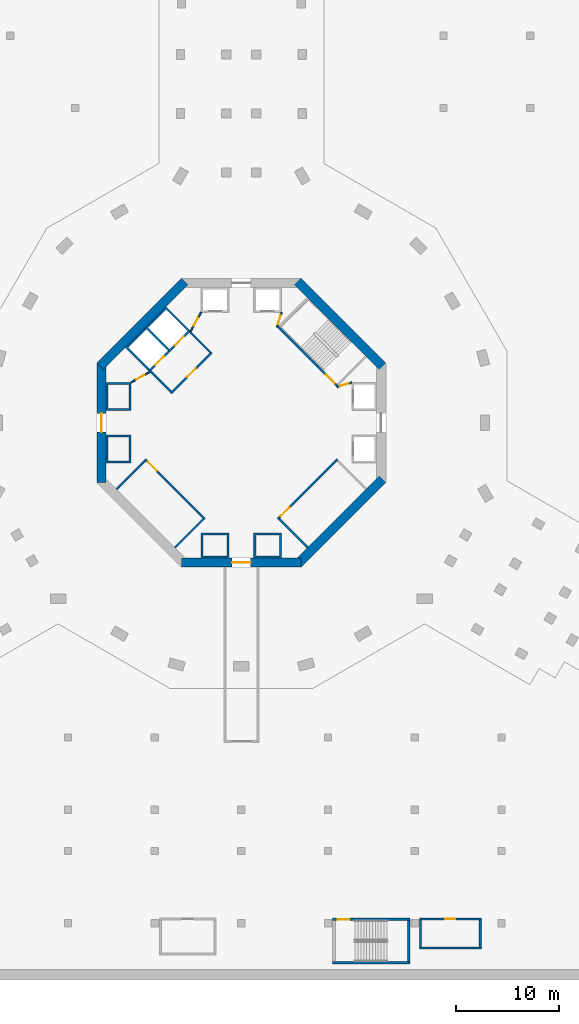
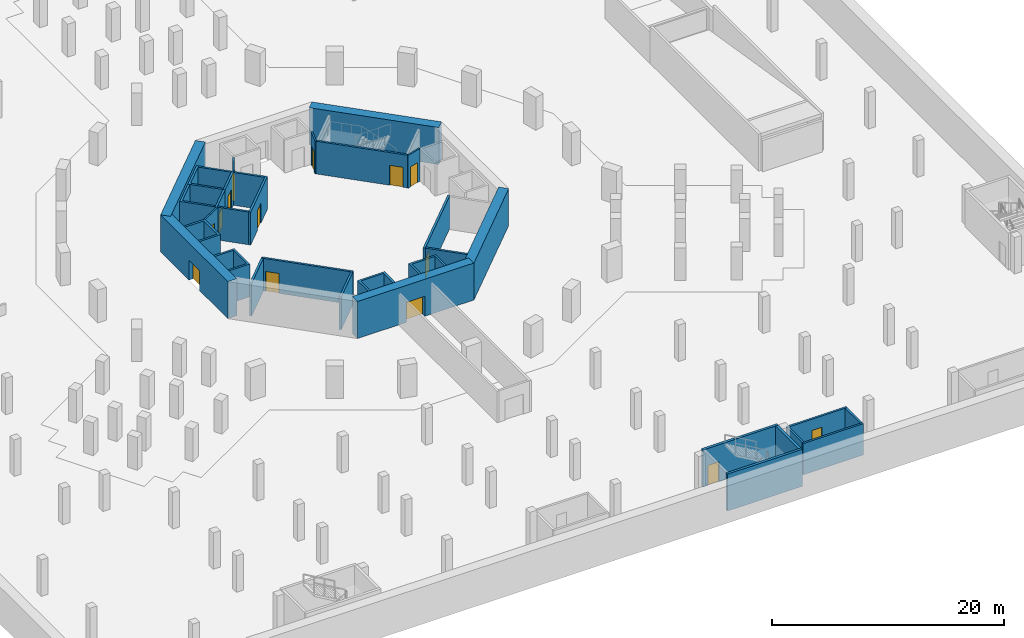
# One storey, part 7 of 25: 33 walls, 14 doors, 14 openings.
"""IFC4 building model written with IfcOpenShell, lengths in metres."""

from ifc_helpers import new_model, si_unit, direction, frame, frame_2d, origin, place, context, subcontext, project, spatial, polyline, rectangle, outline, extrude, material, layer, layer_set, type_object, element, fill, save


model = new_model("IFC4")

# Units and contexts
model_context = context("Model", 3, precision=1e-05, world=origin(), true_north=direction((0.0, 1.0)))
body_context = subcontext(model_context, "Body", "Model", "MODEL_VIEW")
ifc_project = project(units=[si_unit("LENGTHUNIT", "METRE"), si_unit("AREAUNIT", "SQUARE_METRE"), si_unit("VOLUMEUNIT", "CUBIC_METRE"), si_unit("PLANEANGLEUNIT", "RADIAN"), si_unit("MASSUNIT", "GRAM", prefix="KILO")], contexts=[model_context])

# Site, building, storey
site_placement = place(None, origin())
site = spatial("IfcSite", under=ifc_project, at=site_placement, CompositionType="ELEMENT")
building_placement = place(site_placement, origin())
building = spatial("IfcBuilding", under=site, at=building_placement, Name="Verdalira Terraces Hotel", CompositionType="ELEMENT")
storey_placement = place(building_placement, frame((0.0, 0.0, -3.899902)))
storey = spatial("IfcBuildingStorey", under=building, at=storey_placement, Name="B1", CompositionType="ELEMENT", Elevation=-3.89990234375)

# Walls
ifc_material_1 = material(Name="Concrete C50", Category="concrete")
ifc_layer_1 = layer(ifc_material_1, 0.199951171875)
ifc_layer_set_1 = layer_set([ifc_layer_1], Name="Core RC wall 200 C50")
wall_type_1 = type_object("IfcWallType", Name="Core RC wall 200 C50", PredefinedType="SOLIDWALL", material=ifc_layer_set_1)
wall_1_placement = place(storey_placement, origin())
element("IfcWall", 1, at=wall_1_placement, inside=storey, type_object=wall_type_1, Name="B1 shaft wall W1", PredefinedType="SOLIDWALL", context=body_context, shape_type="SweptSolid", body=[
    extrude(outline(polyline([(-13.100098, 1.199951), (-13.100098, 3.899902), (-10.699951, 3.899902), (-10.699951, 1.199951), (-13.100098, 1.199951)]), holes=[polyline([(-10.899902, 3.699951), (-12.899902, 3.699951), (-12.899902, 1.399902), (-10.899902, 1.399902), (-10.899902, 3.699951)])]), origin(), (0.0, 0.0, 1.0), 3.449951),
])
wall_2_placement = place(storey_placement, origin())
element("IfcWall", 2, at=wall_2_placement, inside=storey, type_object=wall_type_1, Name="B1 shaft wall W2", PredefinedType="SOLIDWALL", context=body_context, shape_type="SweptSolid", body=[
    extrude(outline(polyline([(-10.699951, -3.899902), (-13.100098, -3.899902), (-13.100098, -1.199951), (-10.699951, -1.199951), (-10.699951, -3.899902)]), holes=[polyline([(-12.899902, -1.399902), (-12.899902, -3.699951), (-10.899902, -3.699951), (-10.899902, -1.399902), (-12.899902, -1.399902)])]), origin(), (0.0, 0.0, 1.0), 3.449951),
])
wall_3_placement = place(storey_placement, origin())
element("IfcWall", 3, at=wall_3_placement, inside=storey, type_object=wall_type_1, Name="B1 shaft wall S1", PredefinedType="SOLIDWALL", context=body_context, shape_type="SweptSolid", body=[
    extrude(outline(polyline([(-1.199951, -13.100098), (-3.899902, -13.100098), (-3.899902, -10.699951), (-1.199951, -10.699951), (-1.199951, -13.100098)]), holes=[polyline([(-3.699951, -10.899902), (-3.699951, -12.899902), (-1.399902, -12.899902), (-1.399902, -10.899902), (-3.699951, -10.899902)])]), origin(), (0.0, 0.0, 1.0), 3.449951),
])
wall_4_placement = place(storey_placement, origin())
element("IfcWall", 4, at=wall_4_placement, inside=storey, type_object=wall_type_1, Name="B1 shaft wall S2", PredefinedType="SOLIDWALL", context=body_context, shape_type="SweptSolid", body=[
    extrude(outline(polyline([(3.899902, -10.699951), (3.899902, -13.100098), (1.199951, -13.100098), (1.199951, -10.699951), (3.899902, -10.699951)]), holes=[polyline([(1.399902, -12.899902), (3.699951, -12.899902), (3.699951, -10.899902), (1.399902, -10.899902), (1.399902, -12.899902)])]), origin(), (0.0, 0.0, 1.0), 3.449951),
])
wall_5_placement = place(storey_placement, origin())
element("IfcWall", 5, at=wall_5_placement, inside=storey, type_object=wall_type_1, Name="B1 shaft wall F1", PredefinedType="SOLIDWALL", context=body_context, shape_type="SweptSolid", body=[
    extrude(outline(polyline([(-9.33374, 9.192383), (-7.283203, 11.24292), (-5.055908, 9.015625), (-5.197266, 8.874268), (-7.283203, 10.960205), (-9.051025, 9.192383), (-6.965088, 7.106445), (-7.106445, 6.965088), (-9.33374, 9.192383)])), origin(), (0.0, 0.0, 1.0), 3.449951),
])

# Wall, opening, door
wall_6_placement = place(storey_placement, frame((-4.985107, 8.944824, 0.0), z_axis=(0.0, 0.0, 1.0), x_axis=(-0.707106781, -0.707106781, 0.0)))
wall_6 = element("IfcWall", 6, at=wall_6_placement, inside=storey, type_object=wall_type_1, Name="B1 shaft front wall F1", PredefinedType="SOLIDWALL", context=body_context, shape_type="SweptSolid", body=[
    extrude(rectangle(XDim=2.899902, YDim=0.199951, at=frame_2d((1.449951, 0.0))), origin(), (0.0, 0.0, 1.0), 3.449951),
])
opening_1_placement = place(wall_6_placement, frame((0.850098, 0.0, 0.0)))
opening_1 = element("IfcOpeningElement", 7, at=opening_1_placement, cuts=wall_6, Name="Opening LD-B1-805", PredefinedType="OPENING", context=body_context, shape_type="SweptSolid", body=[
    extrude(rectangle(XDim=1.199951, YDim=2.100098, at=frame_2d((0.600098, 1.050049))), frame((0.0, 0.109863, 0.0), z_axis=(0.0, -1.0, 0.0), x_axis=(1.0, 0.0, 0.0)), (0.0, 0.0, 1.0), 0.219971),
])
ifc_material_2 = material(Name="Stainless steel", Category="steel")
door_type_1 = type_object("IfcDoorType", Name="Landing door 1200 x 2100", OperationType="NOTDEFINED", PredefinedType="DOOR", material=ifc_material_2)
door_1_placement = place(opening_1_placement, origin())
door_1 = element("IfcDoor", 8, at=door_1_placement, inside=storey, type_object=door_type_1, Name="Lift landing door LF11 B1", OperationType="DOUBLE_DOOR_SLIDING", OverallHeight=2.10009765625, OverallWidth=1.199951171875, PredefinedType="DOOR", context=body_context, shape_type="SweptSolid", body=[
    extrude(rectangle(XDim=1.199951, YDim=2.100098, at=frame_2d((0.600098, 1.050049))), frame((0.0, 0.024902, 0.0), z_axis=(0.0, -1.0, 0.0), x_axis=(1.0, 0.0, 0.0)), (0.0, 0.0, 1.0), 0.050049),
])
fill(opening_1, door_1)

# Wall
wall_7_placement = place(storey_placement, origin())
element("IfcWall", 9, at=wall_7_placement, inside=storey, type_object=wall_type_1, Name="B1 shaft wall F2", PredefinedType="SOLIDWALL", context=body_context, shape_type="SweptSolid", body=[
    extrude(outline(polyline([(-11.24292, 7.283203), (-9.33374, 9.192383), (-9.192383, 9.051025), (-10.960205, 7.283203), (-8.874268, 5.197266), (-9.015625, 5.055908), (-11.24292, 7.283203)])), origin(), (0.0, 0.0, 1.0), 3.449951),
])

# Wall, opening, door
wall_8_placement = place(storey_placement, frame((-7.035645, 6.894287, 0.0), z_axis=(0.0, 0.0, 1.0), x_axis=(-0.707106781, -0.707106781, 0.0)))
wall_8 = element("IfcWall", 10, at=wall_8_placement, inside=storey, type_object=wall_type_1, Name="B1 shaft front wall F2", PredefinedType="SOLIDWALL", context=body_context, shape_type="SweptSolid", body=[
    extrude(rectangle(XDim=2.699951, YDim=0.199951, at=frame_2d((1.350098, 0.0))), origin(), (0.0, 0.0, 1.0), 3.449951),
])
opening_2_placement = place(wall_8_placement, frame((0.649902, 0.0, 0.0)))
opening_2 = element("IfcOpeningElement", 11, at=opening_2_placement, cuts=wall_8, Name="Opening LD-B1-806", PredefinedType="OPENING", context=body_context, shape_type="SweptSolid", body=[
    extrude(rectangle(XDim=1.199951, YDim=2.100098, at=frame_2d((0.600098, 1.050049))), frame((0.0, 0.109863, 0.0), z_axis=(0.0, -1.0, 0.0), x_axis=(1.0, 0.0, 0.0)), (0.0, 0.0, 1.0), 0.219971),
])
door_2_placement = place(opening_2_placement, origin())
door_2 = element("IfcDoor", 12, at=door_2_placement, inside=storey, type_object=door_type_1, Name="Lift landing door LF12 B1", OperationType="DOUBLE_DOOR_SLIDING", OverallHeight=2.10009765625, OverallWidth=1.199951171875, PredefinedType="DOOR", context=body_context, shape_type="SweptSolid", body=[
    extrude(rectangle(XDim=1.199951, YDim=2.100098, at=frame_2d((0.600098, 1.050049))), frame((0.0, 0.024902, 0.0), z_axis=(0.0, -1.0, 0.0), x_axis=(1.0, 0.0, 0.0)), (0.0, 0.0, 1.0), 0.050049),
])
fill(opening_2, door_2)

wall_9_placement = place(storey_placement, frame((3.5354, 9.33374, 0.0), z_axis=(0.0, 0.0, 1.0), x_axis=(0.707106781, -0.707106781, 0.0)))
wall_9 = element("IfcWall", 13, at=wall_9_placement, inside=storey, type_object=wall_type_1, Name="B1 stair ST1 front wall", PredefinedType="SOLIDWALL", context=body_context, shape_type="SweptSolid", body=[
    extrude(rectangle(XDim=8.200195, YDim=0.199951, at=frame_2d((4.100098, 0.0))), origin(), (0.0, 0.0, 1.0), 3.449951),
])
opening_3_placement = place(wall_9_placement, frame((6.600098, 0.0, 0.0)))
opening_3 = element("IfcOpeningElement", 14, at=opening_3_placement, cuts=wall_9, Name="Opening B1-807", PredefinedType="OPENING", context=body_context, shape_type="SweptSolid", body=[
    extrude(rectangle(XDim=1.199951, YDim=2.100098, at=frame_2d((0.600098, 1.050049))), frame((0.0, 0.109863, 0.0), z_axis=(0.0, -1.0, 0.0), x_axis=(1.0, 0.0, 0.0)), (0.0, 0.0, 1.0), 0.219971),
])
ifc_material_3 = material(Name="Steel fire door", Category="steel")
door_type_2 = type_object("IfcDoorType", Name="Stair door 1200 x 2100", OperationType="NOTDEFINED", PredefinedType="DOOR", material=ifc_material_3)
door_3_placement = place(opening_3_placement, origin())
door_3 = element("IfcDoor", 15, at=door_3_placement, inside=storey, type_object=door_type_2, Name="Stair door ST1 B1", OperationType="SINGLE_SWING_RIGHT", OverallHeight=2.10009765625, OverallWidth=1.199951171875, PredefinedType="DOOR", context=body_context, shape_type="SweptSolid", body=[
    extrude(rectangle(XDim=1.199951, YDim=2.100098, at=frame_2d((0.600098, 1.050049))), frame((0.0, 0.024902, 0.0), z_axis=(0.0, -1.0, 0.0), x_axis=(1.0, 0.0, 0.0)), (0.0, 0.0, 1.0), 0.050049),
])
fill(opening_3, door_3)

wall_10_placement = place(storey_placement, frame((-3.5354, -9.33374, 0.0), z_axis=(0.0, 0.0, 1.0), x_axis=(-0.707106781, 0.707106781, 0.0)))
wall_10 = element("IfcWall", 16, at=wall_10_placement, inside=storey, type_object=wall_type_1, Name="B1 ST2 plant room wall", PredefinedType="SOLIDWALL", context=body_context, shape_type="SweptSolid", body=[
    extrude(rectangle(XDim=8.200195, YDim=0.199951, at=frame_2d((4.100098, 0.0))), origin(), (0.0, 0.0, 1.0), 3.449951),
])
opening_4_placement = place(wall_10_placement, frame((6.600098, 0.0, 0.0)))
opening_4 = element("IfcOpeningElement", 17, at=opening_4_placement, cuts=wall_10, Name="Opening B1-808", PredefinedType="OPENING", context=body_context, shape_type="SweptSolid", body=[
    extrude(rectangle(XDim=1.199951, YDim=2.100098, at=frame_2d((0.600098, 1.050049))), frame((0.0, 0.109863, 0.0), z_axis=(0.0, -1.0, 0.0), x_axis=(1.0, 0.0, 0.0)), (0.0, 0.0, 1.0), 0.219971),
])
ifc_material_4 = material(Name="Steel fire door", Category="steel")
door_type_3 = type_object("IfcDoorType", Name="Core room door 900 x 2100", OperationType="NOTDEFINED", PredefinedType="DOOR", material=ifc_material_4)
door_4_placement = place(opening_4_placement, origin())
door_4 = element("IfcDoor", 18, at=door_4_placement, inside=storey, type_object=door_type_3, Name="Plant room door B1 ST2", OperationType="SINGLE_SWING_RIGHT", OverallHeight=2.10009765625, OverallWidth=1.199951171875, PredefinedType="DOOR", context=body_context, shape_type="SweptSolid", body=[
    extrude(rectangle(XDim=1.199951, YDim=2.100098, at=frame_2d((0.600098, 1.050049))), frame((0.0, 0.024902, 0.0), z_axis=(0.0, -1.0, 0.0), x_axis=(1.0, 0.0, 0.0)), (0.0, 0.0, 1.0), 0.050049),
])
fill(opening_4, door_4)

# Walls
for number, where, z_axis, x_axis, name in (
    (19, (-9.33374, -3.677002, 0.0), (0.0, 0.0, 1.0), (-0.707106781, -0.707106781, 0.0), "B1 ST2 plant room wall"),
    (20, (-3.677002, -9.33374, 0.0), (0.0, 0.0, 1.0), (-0.707106781, -0.707106781, 0.0), "B1 ST2 plant room wall"),
):
    element("IfcWall", number, at=place(storey_placement, frame(where, z_axis=z_axis, x_axis=x_axis)), inside=storey, type_object=wall_type_1, Name=name, PredefinedType="SOLIDWALL", context=body_context, shape_type="SweptSolid", body=[
        extrude(rectangle(XDim=3.900146, YDim=0.199951, at=frame_2d((1.950195, 0.0))), origin(), (0.0, 0.0, 1.0), 3.449951),
    ])

# Wall, opening, door
wall_11_placement = place(storey_placement, frame((9.33374, -3.5354, 0.0), z_axis=(0.0, 0.0, 1.0), x_axis=(-0.707106781, -0.707106781, 0.0)))
wall_11 = element("IfcWall", 21, at=wall_11_placement, inside=storey, type_object=wall_type_1, Name="B1 ST3 plant room wall", PredefinedType="SOLIDWALL", context=body_context, shape_type="SweptSolid", body=[
    extrude(rectangle(XDim=8.200195, YDim=0.199951, at=frame_2d((4.100098, 0.0))), origin(), (0.0, 0.0, 1.0), 3.449951),
])
opening_5_placement = place(wall_11_placement, frame((6.600098, 0.0, 0.0)))
opening_5 = element("IfcOpeningElement", 22, at=opening_5_placement, cuts=wall_11, Name="Opening B1-809", PredefinedType="OPENING", context=body_context, shape_type="SweptSolid", body=[
    extrude(rectangle(XDim=1.199951, YDim=2.100098, at=frame_2d((0.600098, 1.050049))), frame((0.0, 0.109863, 0.0), z_axis=(0.0, -1.0, 0.0), x_axis=(1.0, 0.0, 0.0)), (0.0, 0.0, 1.0), 0.219971),
])
door_5_placement = place(opening_5_placement, origin())
door_5 = element("IfcDoor", 23, at=door_5_placement, inside=storey, type_object=door_type_3, Name="Plant room door B1 ST3", OperationType="SINGLE_SWING_RIGHT", OverallHeight=2.10009765625, OverallWidth=1.199951171875, PredefinedType="DOOR", context=body_context, shape_type="SweptSolid", body=[
    extrude(rectangle(XDim=1.199951, YDim=2.100098, at=frame_2d((0.600098, 1.050049))), frame((0.0, 0.024902, 0.0), z_axis=(0.0, -1.0, 0.0), x_axis=(1.0, 0.0, 0.0)), (0.0, 0.0, 1.0), 0.050049),
])
fill(opening_5, door_5)

# Wall
wall_12_placement = place(storey_placement, frame((3.677002, -9.33374, 0.0), z_axis=(0.0, 0.0, 1.0), x_axis=(0.707106781, -0.707106781, 0.0)))
element("IfcWall", 24, at=wall_12_placement, inside=storey, type_object=wall_type_1, Name="B1 ST3 plant room wall", PredefinedType="SOLIDWALL", context=body_context, shape_type="SweptSolid", body=[
    extrude(rectangle(XDim=3.900146, YDim=0.199951, at=frame_2d((1.950195, 0.0))), origin(), (0.0, 0.0, 1.0), 3.449951),
])

# Wall, opening, door
wall_13_placement = place(storey_placement, frame((-2.86377, 6.823486, 0.0), z_axis=(0.0, 0.0, 1.0), x_axis=(-0.707106781, -0.707106781, 0.0)))
wall_13 = element("IfcWall", 25, at=wall_13_placement, inside=storey, type_object=wall_type_1, Name="B1 fire lobby wall", PredefinedType="SOLIDWALL", context=body_context, shape_type="SweptSolid", body=[
    extrude(rectangle(XDim=5.599854, YDim=0.199951, at=frame_2d((2.799805, 0.0))), origin(), (0.0, 0.0, 1.0), 3.449951),
])
opening_6_placement = place(wall_13_placement, frame((2.199951, 0.0, 0.0)))
opening_6 = element("IfcOpeningElement", 26, at=opening_6_placement, cuts=wall_13, Name="Opening B1-814", PredefinedType="OPENING", context=body_context, shape_type="SweptSolid", body=[
    extrude(rectangle(XDim=1.199951, YDim=2.100098, at=frame_2d((0.600098, 1.050049))), frame((0.0, 0.109863, 0.0), z_axis=(0.0, -1.0, 0.0), x_axis=(1.0, 0.0, 0.0)), (0.0, 0.0, 1.0), 0.219971),
])
ifc_material_5 = material(Name="Steel fire door", Category="steel")
door_type_4 = type_object("IfcDoorType", Name="Lobby door 1200 x 2100", OperationType="NOTDEFINED", PredefinedType="DOOR", material=ifc_material_5)
door_6_placement = place(opening_6_placement, origin())
door_6 = element("IfcDoor", 27, at=door_6_placement, inside=storey, type_object=door_type_4, Name="Fire lobby door B1", OperationType="SINGLE_SWING_LEFT", OverallHeight=2.10009765625, OverallWidth=1.199951171875, PredefinedType="DOOR", context=body_context, shape_type="SweptSolid", body=[
    extrude(rectangle(XDim=1.199951, YDim=2.100098, at=frame_2d((0.600098, 1.050049))), frame((0.0, 0.024902, 0.0), z_axis=(0.0, -1.0, 0.0), x_axis=(1.0, 0.0, 0.0)), (0.0, 0.0, 1.0), 0.050049),
])
fill(opening_6, door_6)

# Walls
for number, where, z_axis, x_axis, name in (
    (28, (-3.005127, 6.823486, 0.0), (0.0, 0.0, 1.0), (-0.707106781, 0.707106781, 0.0), "B1 fire lobby wall"),
    (29, (-6.823486, 3.005127, 0.0), (0.0, 0.0, 1.0), (-0.707106781, 0.707106781, 0.0), "B1 fire lobby wall"),
):
    element("IfcWall", number, at=place(storey_placement, frame(where, z_axis=z_axis, x_axis=x_axis)), inside=storey, type_object=wall_type_1, Name=name, PredefinedType="SOLIDWALL", context=body_context, shape_type="SweptSolid", body=[
        extrude(rectangle(XDim=2.800049, YDim=0.199951, at=frame_2d((1.399902, 0.0))), origin(), (0.0, 0.0, 1.0), 3.449951),
    ])

# Wall, opening, door
ifc_material_6 = material(Name="Gypsum board partition")
ifc_layer_2 = layer(ifc_material_6, 0.14990234375)
ifc_layer_set_2 = layer_set([ifc_layer_2], Name="Core partition 150 mm")
wall_type_2 = type_object("IfcWallType", Name="Core partition 150 mm", PredefinedType="PARTITIONING", material=ifc_layer_set_2)
wall_14_placement = place(storey_placement, frame((10.699951, 3.899902, 0.0), z_axis=(0.0, 0.0, 1.0), x_axis=(-0.957084567, -0.289808785, 0.0)))
wall_14 = element("IfcWall", 30, at=wall_14_placement, inside=storey, type_object=wall_type_2, Name="Room partition B1", PredefinedType="PARTITIONING", context=body_context, shape_type="SweptSolid", body=[
    extrude(rectangle(XDim=1.501221, YDim=0.149902, at=frame_2d((0.750488, 0.0))), origin(), (0.0, 0.0, 1.0), 3.449951),
])
opening_7_placement = place(wall_14_placement, frame((0.300781, 0.0, 0.0)))
opening_7 = element("IfcOpeningElement", 31, at=opening_7_placement, cuts=wall_14, Name="Opening B1-815", PredefinedType="OPENING", context=body_context, shape_type="SweptSolid", body=[
    extrude(rectangle(XDim=0.899902, YDim=2.100098, at=frame_2d((0.449951, 1.050049))), frame((0.0, 0.084961, 0.0), z_axis=(0.0, -1.0, 0.0), x_axis=(1.0, 0.0, 0.0)), (0.0, 0.0, 1.0), 0.169922),
])
door_7_placement = place(opening_7_placement, origin())
door_7 = element("IfcDoor", 32, at=door_7_placement, inside=storey, type_object=door_type_3, Name="Door B1 room0", OperationType="SINGLE_SWING_LEFT", OverallHeight=2.10009765625, OverallWidth=0.89990234375, PredefinedType="DOOR", context=body_context, shape_type="SweptSolid", body=[
    extrude(rectangle(XDim=0.899902, YDim=2.100098, at=frame_2d((0.449951, 1.050049))), frame((0.0, 0.024902, 0.0), z_axis=(0.0, -1.0, 0.0), x_axis=(1.0, 0.0, 0.0)), (0.0, 0.0, 1.0), 0.050049),
])
fill(opening_7, door_7)

wall_15_placement = place(storey_placement, frame((3.464844, 9.263184, 0.0), z_axis=(0.0, 0.0, 1.0), x_axis=(0.289808785, 0.957084567, 0.0)))
wall_15 = element("IfcWall", 33, at=wall_15_placement, inside=storey, type_object=wall_type_2, Name="Room partition B1", PredefinedType="PARTITIONING", context=body_context, shape_type="SweptSolid", body=[
    extrude(rectangle(XDim=1.501221, YDim=0.149902, at=frame_2d((0.750488, 0.0))), origin(), (0.0, 0.0, 1.0), 3.449951),
])
opening_8_placement = place(wall_15_placement, frame((0.300781, 0.0, 0.0)))
opening_8 = element("IfcOpeningElement", 34, at=opening_8_placement, cuts=wall_15, Name="Opening B1-816", PredefinedType="OPENING", context=body_context, shape_type="SweptSolid", body=[
    extrude(rectangle(XDim=0.899902, YDim=2.100098, at=frame_2d((0.449951, 1.050049))), frame((0.0, 0.084961, 0.0), z_axis=(0.0, -1.0, 0.0), x_axis=(1.0, 0.0, 0.0)), (0.0, 0.0, 1.0), 0.169922),
])
door_8_placement = place(opening_8_placement, origin())
door_8 = element("IfcDoor", 35, at=door_8_placement, inside=storey, type_object=door_type_3, Name="Door B1 room1", OperationType="SINGLE_SWING_LEFT", OverallHeight=2.10009765625, OverallWidth=0.89990234375, PredefinedType="DOOR", context=body_context, shape_type="SweptSolid", body=[
    extrude(rectangle(XDim=0.899902, YDim=2.100098, at=frame_2d((0.449951, 1.050049))), frame((0.0, 0.024902, 0.0), z_axis=(0.0, -1.0, 0.0), x_axis=(1.0, 0.0, 0.0)), (0.0, 0.0, 1.0), 0.050049),
])
fill(opening_8, door_8)

wall_16_placement = place(storey_placement, frame((-3.899902, 10.699951, 0.0), z_axis=(0.0, 0.0, 1.0), x_axis=(-0.485692555, -0.874129705, 0.0)))
wall_16 = element("IfcWall", 36, at=wall_16_placement, inside=storey, type_object=wall_type_2, Name="Room partition B1", PredefinedType="PARTITIONING", context=body_context, shape_type="SweptSolid", body=[
    extrude(rectangle(XDim=2.088623, YDim=0.149902, at=frame_2d((1.044434, 0.0))), origin(), (0.0, 0.0, 1.0), 3.449951),
])
opening_9_placement = place(wall_16_placement, frame((0.594238, 0.0, 0.0)))
opening_9 = element("IfcOpeningElement", 37, at=opening_9_placement, cuts=wall_16, Name="Opening B1-817", PredefinedType="OPENING", context=body_context, shape_type="SweptSolid", body=[
    extrude(rectangle(XDim=0.899902, YDim=2.100098, at=frame_2d((0.449951, 1.050049))), frame((0.0, 0.084961, 0.0), z_axis=(0.0, -1.0, 0.0), x_axis=(1.0, 0.0, 0.0)), (0.0, 0.0, 1.0), 0.169922),
])
door_9_placement = place(opening_9_placement, origin())
door_9 = element("IfcDoor", 38, at=door_9_placement, inside=storey, type_object=door_type_3, Name="Door B1 room2", OperationType="SINGLE_SWING_LEFT", OverallHeight=2.10009765625, OverallWidth=0.89990234375, PredefinedType="DOOR", context=body_context, shape_type="SweptSolid", body=[
    extrude(rectangle(XDim=0.899902, YDim=2.100098, at=frame_2d((0.449951, 1.050049))), frame((0.0, 0.024902, 0.0), z_axis=(0.0, -1.0, 0.0), x_axis=(1.0, 0.0, 0.0)), (0.0, 0.0, 1.0), 0.050049),
])
fill(opening_9, door_9)

wall_17_placement = place(storey_placement, frame((-8.874268, 4.914307, 0.0), z_axis=(0.0, 0.0, 1.0), x_axis=(-0.874129705, -0.485692555, 0.0)))
wall_17 = element("IfcWall", 39, at=wall_17_placement, inside=storey, type_object=wall_type_2, Name="Room partition B1", PredefinedType="PARTITIONING", context=body_context, shape_type="SweptSolid", body=[
    extrude(rectangle(XDim=2.088623, YDim=0.149902, at=frame_2d((1.044434, 0.0))), origin(), (0.0, 0.0, 1.0), 3.449951),
])
opening_10_placement = place(wall_17_placement, frame((0.594238, 0.0, 0.0)))
opening_10 = element("IfcOpeningElement", 40, at=opening_10_placement, cuts=wall_17, Name="Opening B1-818", PredefinedType="OPENING", context=body_context, shape_type="SweptSolid", body=[
    extrude(rectangle(XDim=0.899902, YDim=2.100098, at=frame_2d((0.449951, 1.050049))), frame((0.0, 0.084961, 0.0), z_axis=(0.0, -1.0, 0.0), x_axis=(1.0, 0.0, 0.0)), (0.0, 0.0, 1.0), 0.169922),
])
door_10_placement = place(opening_10_placement, origin())
door_10 = element("IfcDoor", 41, at=door_10_placement, inside=storey, type_object=door_type_3, Name="Door B1 room3", OperationType="SINGLE_SWING_LEFT", OverallHeight=2.10009765625, OverallWidth=0.89990234375, PredefinedType="DOOR", context=body_context, shape_type="SweptSolid", body=[
    extrude(rectangle(XDim=0.899902, YDim=2.100098, at=frame_2d((0.449951, 1.050049))), frame((0.0, 0.024902, 0.0), z_axis=(0.0, -1.0, 0.0), x_axis=(1.0, 0.0, 0.0)), (0.0, 0.0, 1.0), 0.050049),
])
fill(opening_10, door_10)

# Walls
ifc_material_7 = material(Name="Concrete C70", Category="concrete")
ifc_layer_3 = layer(ifc_material_7, 0.89990234375)
ifc_layer_set_3 = layer_set([ifc_layer_3], Name="Core wall 900 C70")
wall_type_3 = type_object("IfcWallType", Name="Core wall 900 C70", PredefinedType="SHEAR", material=ifc_layer_set_3)
for number, where, z_axis, x_axis, name in (
    (42, (13.681885, 5.480713, 0.0), (0.0, 0.0, 1.0), (-0.707106781, 0.707106781, 0.0), "Core wall CW-B1-2"),
    (43, (-5.480713, 13.681885, 0.0), (0.0, 0.0, 1.0), (-0.707106781, -0.707106781, 0.0), "Core wall CW-B1-4"),
):
    element("IfcWall", number, at=place(storey_placement, frame(where, z_axis=z_axis, x_axis=x_axis)), inside=storey, type_object=wall_type_3, Name=name, PredefinedType="SHEAR", context=body_context, shape_type="SweptSolid", body=[
        extrude(rectangle(XDim=11.598145, YDim=0.899902, at=frame_2d((5.799072, 0.0))), origin(), (0.0, 0.0, 1.0), 3.899902),
    ])

# Wall, opening, door
wall_18_placement = place(storey_placement, frame((-13.550049, 5.799072, 0.0), z_axis=(0.0, 0.0, 1.0), x_axis=(0.0, -1.0, 0.0)))
wall_18 = element("IfcWall", 44, at=wall_18_placement, inside=storey, type_object=wall_type_3, Name="Core wall CW-B1-5", PredefinedType="SHEAR", context=body_context, shape_type="SweptSolid", body=[
    extrude(rectangle(XDim=11.598145, YDim=0.899902, at=frame_2d((5.799072, 0.0))), origin(), (0.0, 0.0, 1.0), 3.899902),
])
opening_11_placement = place(wall_18_placement, frame((4.898926, 0.0, 0.0)))
opening_11 = element("IfcOpeningElement", 45, at=opening_11_placement, cuts=wall_18, Name="Opening B1-812", PredefinedType="OPENING", context=body_context, shape_type="SweptSolid", body=[
    extrude(rectangle(XDim=1.800049, YDim=2.100098, at=frame_2d((0.899902, 1.050049))), frame((0.0, 0.459961, 0.0), z_axis=(0.0, -1.0, 0.0), x_axis=(1.0, 0.0, 0.0)), (0.0, 0.0, 1.0), 0.919922),
])
ifc_material_8 = material(Name="Steel fire door", Category="steel")
door_type_5 = type_object("IfcDoorType", Name="Core entry door pair 1800 x 2100", OperationType="NOTDEFINED", PredefinedType="DOOR", material=ifc_material_8)
door_11_placement = place(opening_11_placement, origin())
door_11 = element("IfcDoor", 46, at=door_11_placement, inside=storey, type_object=door_type_5, Name="Core entry door B1 4", OperationType="DOUBLE_DOOR_SINGLE_SWING", OverallHeight=2.10009765625, OverallWidth=1.800048828125, PredefinedType="DOOR", context=body_context, shape_type="SweptSolid", body=[
    extrude(rectangle(XDim=1.800049, YDim=2.100098, at=frame_2d((0.899902, 1.050049))), frame((0.0, 0.024902, 0.0), z_axis=(0.0, -1.0, 0.0), x_axis=(1.0, 0.0, 0.0)), (0.0, 0.0, 1.0), 0.050049),
])
fill(opening_11, door_11)

wall_19_placement = place(storey_placement, frame((-5.799072, -13.550049, 0.0), z_axis=(0.0, 0.0, 1.0), x_axis=(1.0, 0.0, 0.0)))
wall_19 = element("IfcWall", 47, at=wall_19_placement, inside=storey, type_object=wall_type_3, Name="Core wall CW-B1-7", PredefinedType="SHEAR", context=body_context, shape_type="SweptSolid", body=[
    extrude(rectangle(XDim=11.598145, YDim=0.899902, at=frame_2d((5.799072, 0.0))), origin(), (0.0, 0.0, 1.0), 3.899902),
])
opening_12_placement = place(wall_19_placement, frame((4.898926, 0.0, 0.0)))
opening_12 = element("IfcOpeningElement", 48, at=opening_12_placement, cuts=wall_19, Name="Opening B1-813", PredefinedType="OPENING", context=body_context, shape_type="SweptSolid", body=[
    extrude(rectangle(XDim=1.800049, YDim=2.100098, at=frame_2d((0.899902, 1.050049))), frame((0.0, 0.459961, 0.0), z_axis=(0.0, -1.0, 0.0), x_axis=(1.0, 0.0, 0.0)), (0.0, 0.0, 1.0), 0.919922),
])
door_12_placement = place(opening_12_placement, origin())
door_12 = element("IfcDoor", 49, at=door_12_placement, inside=storey, type_object=door_type_5, Name="Core entry door B1 6", OperationType="DOUBLE_DOOR_SINGLE_SWING", OverallHeight=2.10009765625, OverallWidth=1.800048828125, PredefinedType="DOOR", context=body_context, shape_type="SweptSolid", body=[
    extrude(rectangle(XDim=1.800049, YDim=2.100098, at=frame_2d((0.899902, 1.050049))), frame((0.0, 0.024902, 0.0), z_axis=(0.0, -1.0, 0.0), x_axis=(1.0, 0.0, 0.0)), (0.0, 0.0, 1.0), 0.050049),
])
fill(opening_12, door_12)

# Wall
wall_20_placement = place(storey_placement, frame((5.480713, -13.681885, 0.0), z_axis=(0.0, 0.0, 1.0), x_axis=(0.707106781, 0.707106781, 0.0)))
element("IfcWall", 50, at=wall_20_placement, inside=storey, type_object=wall_type_3, Name="Core wall CW-B1-8", PredefinedType="SHEAR", context=body_context, shape_type="SweptSolid", body=[
    extrude(rectangle(XDim=11.598145, YDim=0.899902, at=frame_2d((5.799072, 0.0))), origin(), (0.0, 0.0, 1.0), 3.899902),
])

# Wall, opening, door
ifc_material_9 = material(Name="Concrete C40", Category="concrete")
ifc_layer_4 = layer(ifc_material_9, 0.199951171875)
ifc_layer_set_4 = layer_set([ifc_layer_4], Name="Service room wall 200 C40")
wall_type_4 = type_object("IfcWallType", Name="Service room wall 200 C40", PredefinedType="PARTITIONING", material=ifc_layer_set_4)
wall_21_placement = place(storey_placement, frame((17.25, -48.100098, 0.0), z_axis=(0.0, 0.0, 1.0), x_axis=(1.0, 0.0, 0.0)))
wall_21 = element("IfcWall", 51, at=wall_21_placement, inside=storey, type_object=wall_type_4, Name="Security room wall", PredefinedType="PARTITIONING", context=body_context, shape_type="SweptSolid", body=[
    extrude(rectangle(XDim=6.0, YDim=0.199951, at=frame_2d((3.0, 0.0))), origin(), (0.0, 0.0, 1.0), 3.299805),
])
opening_13_placement = place(wall_21_placement, frame((2.5, 0.0, 0.0)))
opening_13 = element("IfcOpeningElement", 52, at=opening_13_placement, cuts=wall_21, Name="Opening B1-D609", PredefinedType="OPENING", context=body_context, shape_type="SweptSolid", body=[
    extrude(rectangle(XDim=1.0, YDim=2.100098, at=frame_2d((0.5, 1.050049))), frame((0.0, 0.109863, 0.0), z_axis=(0.0, -1.0, 0.0), x_axis=(1.0, 0.0, 0.0)), (0.0, 0.0, 1.0), 0.219971),
])
ifc_material_10 = material(Name="Steel fire door", Category="steel")
door_type_6 = type_object("IfcDoorType", Name="Service room door 1000 x 2100", OperationType="SINGLE_SWING_LEFT", PredefinedType="DOOR", material=ifc_material_10)
door_13_placement = place(opening_13_placement, origin())
door_13 = element("IfcDoor", 53, at=door_13_placement, inside=storey, type_object=door_type_6, Name="Security room door", OperationType="SINGLE_SWING_RIGHT", OverallHeight=2.10009765625, OverallWidth=1.0, PredefinedType="DOOR", context=body_context, shape_type="SweptSolid", body=[
    extrude(rectangle(XDim=1.0, YDim=2.100098, at=frame_2d((0.5, 1.050049))), frame((0.0, 0.024902, 0.0), z_axis=(0.0, -1.0, 0.0), x_axis=(1.0, 0.0, 0.0)), (0.0, 0.0, 1.0), 0.050049),
])
fill(opening_13, door_13)

# Walls
wall_22_placement = place(storey_placement, frame((17.25, -50.899902, 0.0), z_axis=(0.0, 0.0, 1.0), x_axis=(1.0, 0.0, 0.0)))
element("IfcWall", 54, at=wall_22_placement, inside=storey, type_object=wall_type_4, Name="Security room wall", PredefinedType="PARTITIONING", context=body_context, shape_type="SweptSolid", body=[
    extrude(rectangle(XDim=6.0, YDim=0.199951, at=frame_2d((3.0, 0.0))), origin(), (0.0, 0.0, 1.0), 3.299805),
])
for number, where, z_axis, x_axis, name in (
    (55, (17.350098, -50.800049, 0.0), (0.0, 0.0, 1.0), (0.0, 1.0, 0.0), "Security room wall"),
    (56, (23.149902, -50.800049, 0.0), (0.0, 0.0, 1.0), (0.0, 1.0, 0.0), "Security room wall"),
):
    element("IfcWall", number, at=place(storey_placement, frame(where, z_axis=z_axis, x_axis=x_axis)), inside=storey, type_object=wall_type_4, Name=name, PredefinedType="PARTITIONING", context=body_context, shape_type="SweptSolid", body=[
        extrude(rectangle(XDim=2.600098, YDim=0.199951, at=frame_2d((1.300049, 0.0))), origin(), (0.0, 0.0, 1.0), 3.299805),
    ])

# Wall, opening, door
ifc_material_11 = material(Name="Concrete C40", Category="concrete")
ifc_layer_5 = layer(ifc_material_11, 0.25)
ifc_layer_set_5 = layer_set([ifc_layer_5], Name="Stair enclosure wall 250 C40")
wall_type_5 = type_object("IfcWallType", Name="Stair enclosure wall 250 C40", PredefinedType="SOLIDWALL", material=ifc_layer_set_5)
wall_23_placement = place(storey_placement, frame((8.850098, -48.125, 0.0), z_axis=(0.0, 0.0, 1.0), x_axis=(1.0, 0.0, 0.0)))
wall_23 = element("IfcWall", 57, at=wall_23_placement, inside=storey, type_object=wall_type_5, Name="Stair BS6 enclosure wall", PredefinedType="SOLIDWALL", context=body_context, shape_type="SweptSolid", body=[
    extrude(rectangle(XDim=7.5, YDim=0.25, at=frame_2d((3.75, 0.0))), origin(), (0.0, 0.0, 1.0), 3.899902),
])
opening_14_placement = place(wall_23_placement, frame((0.5, 0.0, 0.0)))
opening_14 = element("IfcOpeningElement", 58, at=opening_14_placement, cuts=wall_23, Name="Opening B1-D606", PredefinedType="OPENING", context=body_context, shape_type="SweptSolid", body=[
    extrude(rectangle(XDim=1.100098, YDim=2.100098, at=frame_2d((0.550049, 1.050049))), frame((0.0, 0.13501, 0.0), z_axis=(0.0, -1.0, 0.0), x_axis=(1.0, 0.0, 0.0)), (0.0, 0.0, 1.0), 0.27002),
])
ifc_material_12 = material(Name="Steel fire door", Category="steel")
door_type_7 = type_object("IfcDoorType", Name="Stair door 1100 x 2100", OperationType="SINGLE_SWING_LEFT", PredefinedType="DOOR", material=ifc_material_12)
door_14_placement = place(opening_14_placement, origin())
door_14 = element("IfcDoor", 59, at=door_14_placement, inside=storey, type_object=door_type_7, Name="Stair BS6 door", OperationType="SINGLE_SWING_RIGHT", OverallHeight=2.10009765625, OverallWidth=1.10009765625, PredefinedType="DOOR", context=body_context, shape_type="SweptSolid", body=[
    extrude(rectangle(XDim=1.100098, YDim=2.100098, at=frame_2d((0.550049, 1.050049))), frame((0.0, 0.024902, 0.0), z_axis=(0.0, -1.0, 0.0), x_axis=(1.0, 0.0, 0.0)), (0.0, 0.0, 1.0), 0.050049),
])
fill(opening_14, door_14)

# Walls
wall_24_placement = place(storey_placement, frame((8.850098, -52.324951, 0.0), z_axis=(0.0, 0.0, 1.0), x_axis=(1.0, 0.0, 0.0)))
element("IfcWall", 60, at=wall_24_placement, inside=storey, type_object=wall_type_5, Name="Stair BS6 enclosure wall", PredefinedType="SOLIDWALL", context=body_context, shape_type="SweptSolid", body=[
    extrude(rectangle(XDim=7.5, YDim=0.25, at=frame_2d((3.75, 0.0))), origin(), (0.0, 0.0, 1.0), 3.899902),
])
wall_25_placement = place(storey_placement, frame((16.225098, -52.199951, 0.0), z_axis=(0.0, 0.0, 1.0), x_axis=(0.0, 1.0, 0.0)))
element("IfcWall", 61, at=wall_25_placement, inside=storey, type_object=wall_type_5, Name="Stair BS6 enclosure wall", PredefinedType="SOLIDWALL", context=body_context, shape_type="SweptSolid", body=[
    extrude(rectangle(XDim=3.949951, YDim=0.25, at=frame_2d((1.975098, 0.0))), origin(), (0.0, 0.0, 1.0), 3.899902),
])

save(model, "model.ifc")
